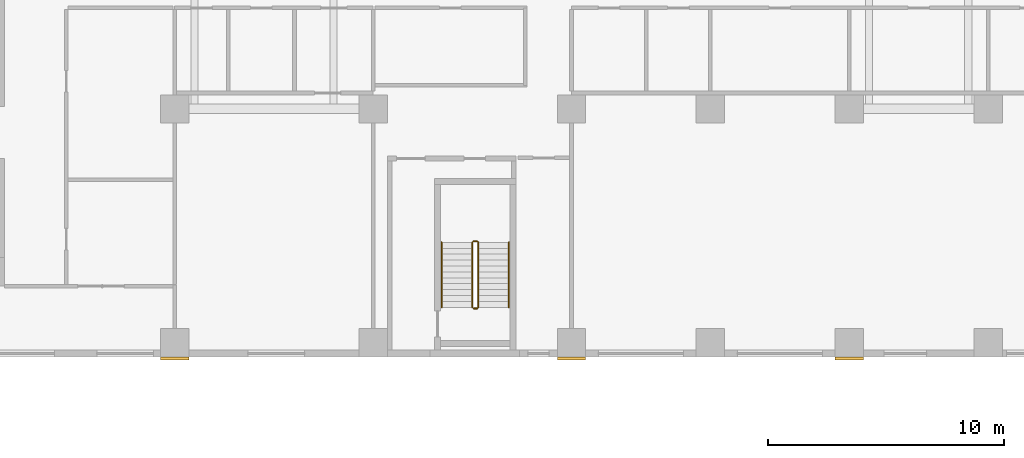
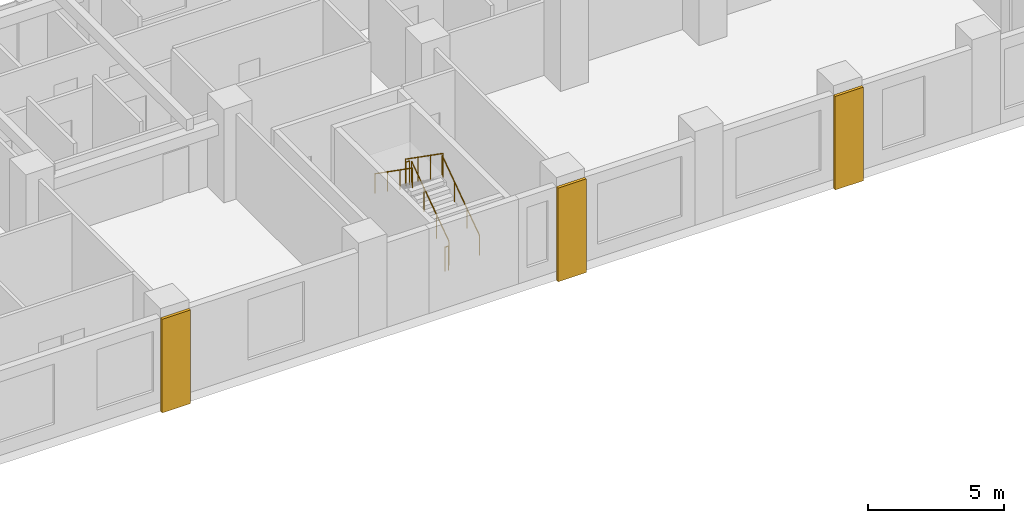
# One storey, part 12 of 14: 6 railings, 3 coverings.
"""IFC4 building model written with IfcOpenShell, lengths in metres."""

from ifc_helpers import new_model, si_unit, direction, frame, origin, origin_2d, place, context, subcontext, project, spatial, rectangle, circle, extrude, source, transform, mapped, material, type_object, element, save


model = new_model("IFC4")

# Units and contexts
model_context = context("Model", 3, precision=1e-05, world=origin(), true_north=direction((0.0, 1.0)))
body_context = subcontext(model_context, "Body", "Model", "MODEL_VIEW")
ifc_project = project(units=[si_unit("LENGTHUNIT", "METRE"), si_unit("AREAUNIT", "SQUARE_METRE"), si_unit("VOLUMEUNIT", "CUBIC_METRE"), si_unit("PLANEANGLEUNIT", "RADIAN"), si_unit("MASSUNIT", "GRAM", prefix="KILO")], contexts=[model_context])

# Site, building, storey
site_placement = place(None, origin())
site = spatial("IfcSite", under=ifc_project, at=site_placement, CompositionType="ELEMENT")
building_placement = place(site_placement, origin())
building = spatial("IfcBuilding", under=site, at=building_placement, Name="Aurelian Terraces", CompositionType="ELEMENT")
storey_placement = place(building_placement, frame((0.0, 0.0, 86.7)))
storey = spatial("IfcBuildingStorey", under=building, at=storey_placement, Name="L18", CompositionType="ELEMENT", Elevation=86.7)

# Coverings
ifc_material_1 = material(Name="Terracotta rainscreen cladding relief", Category="masonry")
covering_type = type_object("IfcCoveringType", Name="BAGUETTE-TC", PredefinedType="CLADDING", material=ifc_material_1)
shared_shape_1 = source(origin(), body_context, "Body", "SweptSolid", [
    extrude(rectangle(XDim=1.2, YDim=0.12, at=origin_2d()), origin(), (0.0, 0.0, 1.0), 4.2),
])
for number, where, z_axis, x_axis, name in (
    (1, (29.4, -0.06, -0.4), (0.0, 0.0, 1.0), (1.0, 0.0, 0.0), "BAGUETTE pier L18 2"),
    (2, (46.2, -0.06, -0.4), (0.0, 0.0, 1.0), (1.0, 0.0, 0.0), "BAGUETTE pier L18 3"),
    (3, (57.96, -0.06, -0.4), (0.0, 0.0, 1.0), (1.0, 0.0, 0.0), "BAGUETTE pier L18 4"),
):
    element("IfcCovering", number, at=place(storey_placement, frame(where, z_axis=z_axis, x_axis=x_axis)), inside=storey, type_object=covering_type, Name=name, PredefinedType="CLADDING", context=body_context, shape_type="MappedRepresentation", body=[
        mapped(shared_shape_1, transform((0.0, 0.0, 0.0), scale=1.0)),
    ])

# Railings
ifc_material_2 = material(Name="Stainless steel", Category="steel")
railing_type_1 = type_object("IfcRailingType", Name="Stair guard 1100", PredefinedType="GUARDRAIL", material=ifc_material_2)
shared_shape_2 = source(origin(), body_context, "Body", "SweptSolid", [
    extrude(circle(Radius=0.024, at=origin_2d()), frame((0.0, 0.0, 1.076), z_axis=(-1.0, 0.0, 0.0), x_axis=(0.0, -1.0, 0.0)), (0.0, 0.0, 1.0), 0.15),
    extrude(circle(Radius=0.021, at=origin_2d()), origin(), (0.0, 0.0, 1.0), 1.052),
    extrude(circle(Radius=0.021, at=origin_2d()), frame((-0.15, 0.0, 0.0)), (0.0, 0.0, 1.0), 1.052),
])
for number, where, name in (
    (4, (42.2, 4.9, 2.1), "L18 S2 stair guard 2"),
    (5, (42.2, 2.05, 0.0), "L18 S2 stair guard 4"),
):
    element("IfcRailing", number, at=place(storey_placement, frame(where)), inside=storey, type_object=railing_type_1, Name=name, PredefinedType="GUARDRAIL", context=body_context, shape_type="MappedRepresentation", body=[
        mapped(shared_shape_2, transform((0.0, 0.0, 0.0), scale=1.0)),
    ])
shared_shape_3 = source(origin(), body_context, "Body", "SweptSolid", [
    extrude(circle(Radius=0.024, at=origin_2d()), frame((0.0, 0.0, 1.076), z_axis=(0.0, 0.819231920519, 0.573462344363), x_axis=(-1.0, 0.0, 0.0)), (0.0, 0.0, 1.0), 3.3568),
    extrude(circle(Radius=0.021, at=origin_2d()), origin(), (0.0, 0.0, 1.0), 1.052),
    extrude(circle(Radius=0.021, at=origin_2d()), frame((0.0, 0.9167, 0.6417)), (0.0, 0.0, 1.0), 1.052),
    extrude(circle(Radius=0.021, at=origin_2d()), frame((0.0, 1.8333, 1.2833)), (0.0, 0.0, 1.0), 1.052),
    extrude(circle(Radius=0.021, at=origin_2d()), frame((0.0, 2.75, 1.925)), (0.0, 0.0, 1.0), 1.052),
])
railing_1_placement = place(storey_placement, frame((42.25, 2.1, 0.175)))
element("IfcRailing", 6, at=railing_1_placement, inside=storey, type_object=railing_type_1, Name="L18 S2 stair guard 1", PredefinedType="GUARDRAIL", context=body_context, shape_type="MappedRepresentation", body=[
    mapped(shared_shape_3, transform((0.0, 0.0, 0.0), scale=1.0)),
])
shared_shape_4 = source(origin(), body_context, "Body", "SweptSolid", [
    extrude(circle(Radius=0.024, at=origin_2d()), frame((0.0, 0.0, 1.076), z_axis=(0.0, -0.819231920519, 0.573462344363), x_axis=(1.0, 0.0, 0.0)), (0.0, 0.0, 1.0), 3.3568),
    extrude(circle(Radius=0.021, at=origin_2d()), origin(), (0.0, 0.0, 1.0), 1.052),
    extrude(circle(Radius=0.021, at=origin_2d()), frame((0.0, -0.9167, 0.6417)), (0.0, 0.0, 1.0), 1.052),
    extrude(circle(Radius=0.021, at=origin_2d()), frame((0.0, -1.8333, 1.2833)), (0.0, 0.0, 1.0), 1.052),
    extrude(circle(Radius=0.021, at=origin_2d()), frame((0.0, -2.75, 1.925)), (0.0, 0.0, 1.0), 1.052),
])
railing_2_placement = place(storey_placement, frame((42.0, 4.85, 2.275)))
element("IfcRailing", 7, at=railing_2_placement, inside=storey, type_object=railing_type_1, Name="L18 S2 stair guard 3", PredefinedType="GUARDRAIL", context=body_context, shape_type="MappedRepresentation", body=[
    mapped(shared_shape_4, transform((0.0, 0.0, 0.0), scale=1.0)),
])
railing_type_2 = type_object("IfcRailingType", Name="Stair handrail", PredefinedType="HANDRAIL", material=ifc_material_2)
shared_shape_5 = source(origin(), body_context, "Body", "SweptSolid", [
    extrude(circle(Radius=0.024, at=origin_2d()), frame((0.0, 0.0, 0.876), z_axis=(0.0, 0.819231920519, 0.573462344363), x_axis=(-1.0, 0.0, 0.0)), (0.0, 0.0, 1.0), 3.3568),
    extrude(circle(Radius=0.021, at=origin_2d()), origin(), (0.0, 0.0, 1.0), 0.852),
    extrude(circle(Radius=0.021, at=origin_2d()), frame((0.0, 0.9167, 0.6417)), (0.0, 0.0, 1.0), 0.852),
    extrude(circle(Radius=0.021, at=origin_2d()), frame((0.0, 1.8333, 1.2833)), (0.0, 0.0, 1.0), 0.852),
    extrude(circle(Radius=0.021, at=origin_2d()), frame((0.0, 2.75, 1.925)), (0.0, 0.0, 1.0), 0.852),
])
railing_3_placement = place(storey_placement, frame((43.55, 2.1, 0.175)))
element("IfcRailing", 8, at=railing_3_placement, inside=storey, type_object=railing_type_2, Name="L18 S2 stair handrail 1", PredefinedType="HANDRAIL", context=body_context, shape_type="MappedRepresentation", body=[
    mapped(shared_shape_5, transform((0.0, 0.0, 0.0), scale=1.0)),
])
shared_shape_6 = source(origin(), body_context, "Body", "SweptSolid", [
    extrude(circle(Radius=0.024, at=origin_2d()), frame((0.0, 0.0, 0.876), z_axis=(0.0, -0.819231920519, 0.573462344363), x_axis=(1.0, 0.0, 0.0)), (0.0, 0.0, 1.0), 3.3568),
    extrude(circle(Radius=0.021, at=origin_2d()), origin(), (0.0, 0.0, 1.0), 0.852),
    extrude(circle(Radius=0.021, at=origin_2d()), frame((0.0, -0.9167, 0.6417)), (0.0, 0.0, 1.0), 0.852),
    extrude(circle(Radius=0.021, at=origin_2d()), frame((0.0, -1.8333, 1.2833)), (0.0, 0.0, 1.0), 0.852),
    extrude(circle(Radius=0.021, at=origin_2d()), frame((0.0, -2.75, 1.925)), (0.0, 0.0, 1.0), 0.852),
])
railing_4_placement = place(storey_placement, frame((40.7, 4.85, 2.275)))
element("IfcRailing", 9, at=railing_4_placement, inside=storey, type_object=railing_type_2, Name="L18 S2 stair handrail 2", PredefinedType="HANDRAIL", context=body_context, shape_type="MappedRepresentation", body=[
    mapped(shared_shape_6, transform((0.0, 0.0, 0.0), scale=1.0)),
])

save(model, "model.ifc")
